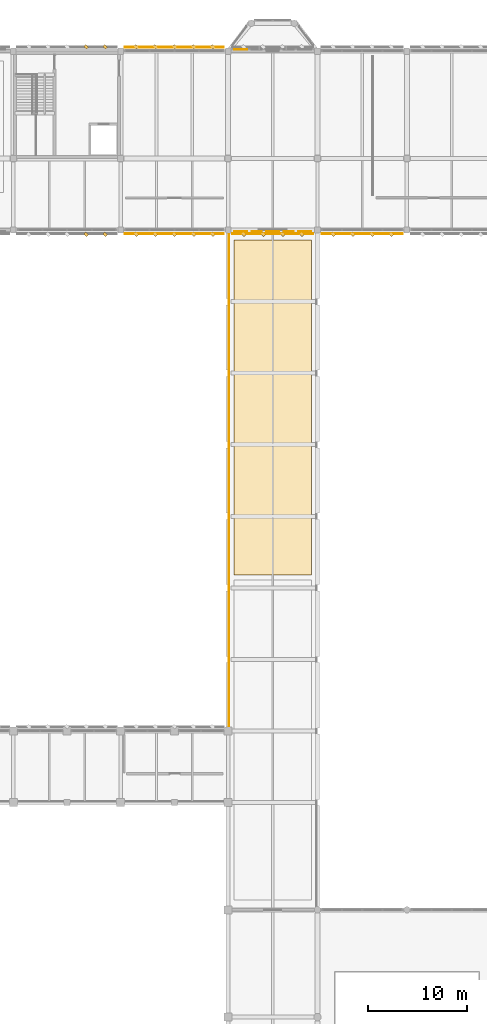
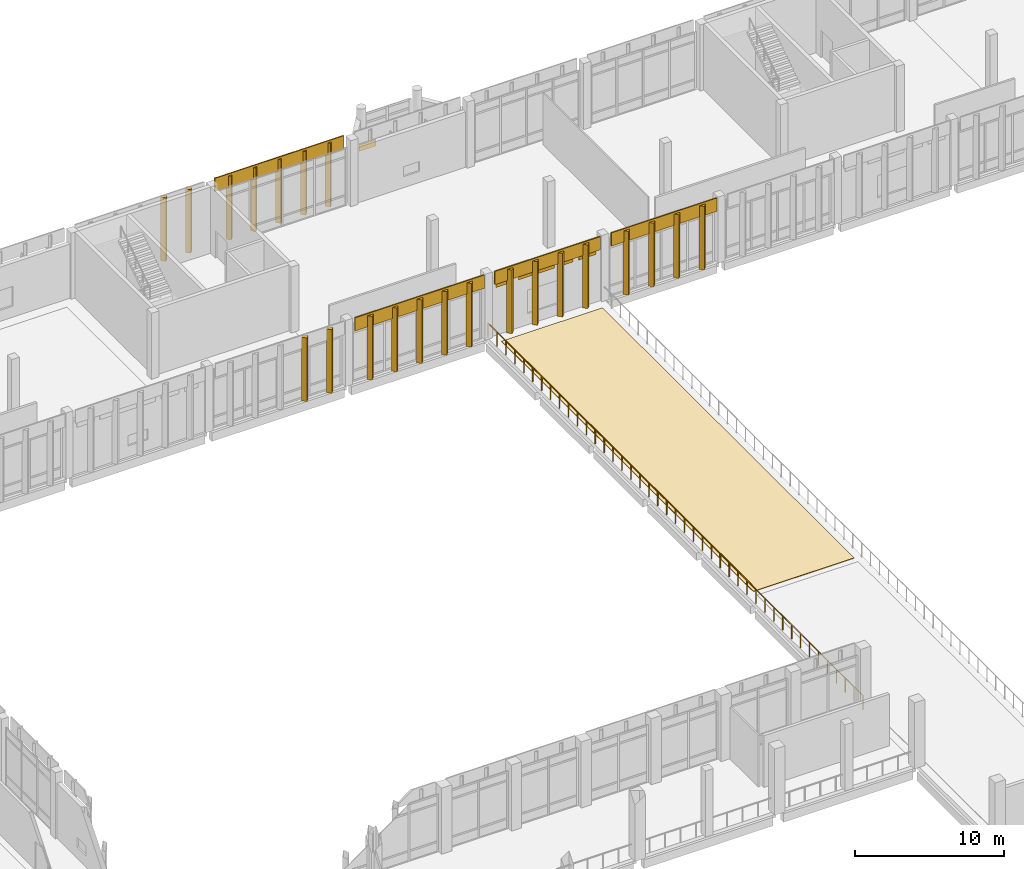
# One storey, part 173 of 180: 33 coverings, 1 railing.
"""IFC4 building model written with IfcOpenShell, lengths in metres."""

from ifc_helpers import new_model, si_unit, direction, frame, origin, origin_2d, place, context, subcontext, project, spatial, polyline, rectangle, circle, outline, extrude, material, layer, layer_set, type_object, element, save


model = new_model("IFC4")

# Units and contexts
model_context = context("Model", 3, precision=1e-05, world=origin(), true_north=direction((0.0, 1.0)))
body_context = subcontext(model_context, "Body", "Model", "MODEL_VIEW")
ifc_project = project(units=[si_unit("LENGTHUNIT", "METRE"), si_unit("AREAUNIT", "SQUARE_METRE"), si_unit("VOLUMEUNIT", "CUBIC_METRE"), si_unit("PLANEANGLEUNIT", "RADIAN"), si_unit("MASSUNIT", "GRAM", prefix="KILO")], contexts=[model_context])

# Site, building, storey
site_placement = place(None, origin())
site = spatial("IfcSite", under=ifc_project, at=site_placement, CompositionType="ELEMENT")
building_placement = place(site_placement, origin())
building = spatial("IfcBuilding", under=site, at=building_placement, Name="Lusvemor Sports Hall", CompositionType="ELEMENT")
storey_placement = place(building_placement, frame((0.0, 0.0, 5.39990234375)))
storey = spatial("IfcBuildingStorey", under=building, at=storey_placement, Name="L01", CompositionType="ELEMENT", Elevation=5.39990234375)

# Coverings
ifc_material_1 = material(Name="Emerald polychrome glazed ceramic cladding on Concrete C40/50 backing", Category="concrete")
ifc_layer_1 = layer(ifc_material_1, 0.0458984375)
ifc_layer_set_1 = layer_set([ifc_layer_1], Name="Emerald polychrome glazed ceramic cladding on Concrete C40/50 backing")
covering_type_1 = type_object("IfcCoveringType", Name="CLAD_WAVE_EMERALD", PredefinedType="CLADDING", material=ifc_layer_set_1)
for number, where, z_axis, x_axis, name in (
    (1, (76.89990234375, 115.365478515625, 3.92529296875), (0.0, 0.0, 1.0), (1.0, 0.0, 0.0), "Art Nouveau Patterned Cladding PS-EW-L01-N-1-7-1"),
    (2, (76.89990234375, 97.034423828125, 3.92529296875), (0.0, 0.0, 1.0), (1.0, 0.0, 0.0), "Art Nouveau Patterned Cladding PS-EW-L01-S-3-5-1"),
    (3, (80.10009765625, 97.034423828125, 3.92529296875), (0.0, 0.0, 1.0), (1.0, 0.0, 0.0), "Art Nouveau Patterned Cladding PS-EW-L01-S-3-5-3"),
    (4, (83.300048828125, 97.034423828125, 3.92529296875), (0.0, 0.0, 1.0), (1.0, 0.0, 0.0), "Art Nouveau Patterned Cladding PS-EW-L01-S-3-5-5"),
):
    element("IfcCovering", number, at=place(storey_placement, frame(where, z_axis=z_axis, x_axis=x_axis)), inside=storey, type_object=covering_type_1, Name=name, PredefinedType="CLADDING", context=body_context, shape_type="SweptSolid", body=[
        extrude(rectangle(XDim=1.31201171875, YDim=0.0458984375, at=origin_2d()), origin(), (0.0, 0.0, 1.0), 0.510009765625),
    ])
for number, where, z_axis, x_axis, name in (
    (5, (61.320068359375, 115.639892578125, 0.10009765625), (0.0, 0.0, 1.0), (0.707106781187, 0.707106781187, 0.0), "Patterned Diamond Cladding Rib 656"),
    (6, (68.280029296875, 115.639892578125, 0.10009765625), (0.0, 0.0, 1.0), (0.707106781187, 0.707106781187, 0.0), "Patterned Diamond Cladding Rib 691"),
    (7, (72.1201171875, 115.639892578125, 0.10009765625), (0.0, 0.0, 1.0), (0.707106781187, 0.707106781187, 0.0), "Patterned Diamond Cladding Rib 693"),
    (8, (61.320068359375, 96.760009765625, 0.10009765625), (0.0, 0.0, 1.0), (0.707106781187, 0.707106781187, 0.0), "Patterned Diamond Cladding Rib 1244"),
    (9, (68.280029296875, 96.760009765625, 0.10009765625), (0.0, 0.0, 1.0), (0.707106781187, 0.707106781187, 0.0), "Patterned Diamond Cladding Rib 1266"),
    (10, (72.1201171875, 96.760009765625, 0.10009765625), (0.0, 0.0, 1.0), (0.707106781187, 0.707106781187, 0.0), "Patterned Diamond Cladding Rib 1268"),
    (11, (79.125, 96.760009765625, 0.10009765625), (0.0, 0.0, 1.0), (0.707106781187, 0.707106781187, 0.0), "Patterned Diamond Cladding Rib 1289"),
    (12, (83.02490234375, 96.760009765625, 0.10009765625), (0.0, 0.0, 1.0), (0.707106781187, 0.707106781187, 0.0), "Patterned Diamond Cladding Rib 1291"),
    (13, (88.125, 96.760009765625, 0.10009765625), (0.0, 0.0, 1.0), (0.707106781187, 0.707106781187, 0.0), "Patterned Diamond Cladding Rib 1309"),
    (14, (92.02490234375, 96.760009765625, 0.10009765625), (0.0, 0.0, 1.0), (0.707106781187, 0.707106781187, 0.0), "Patterned Diamond Cladding Rib 1311"),
):
    element("IfcCovering", number, at=place(storey_placement, frame(where, z_axis=z_axis, x_axis=x_axis)), inside=storey, type_object=covering_type_1, Name=name, PredefinedType="CLADDING", context=body_context, shape_type="SweptSolid", body=[
        extrude(rectangle(XDim=0.280029296875, YDim=0.3798828125, at=origin_2d()), origin(), (0.0, 0.0, 1.0), 5.199951171875),
    ])
ifc_material_2 = material(Name="Warm terracotta Art Nouveau ceramic cladding on Concrete C40/50 backing", Category="masonry")
ifc_layer_2 = layer(ifc_material_2, 0.0380859375)
ifc_layer_set_2 = layer_set([ifc_layer_2], Name="Warm terracotta Art Nouveau ceramic cladding on Concrete C40/50 backing")
covering_type_2 = type_object("IfcCoveringType", Name="CLAD_WAVE_OCHRE", PredefinedType="CLADDING", material=ifc_layer_set_2)
for number, where, z_axis, x_axis, name in (
    (15, (78.5, 97.03857421875, 3.92529296875), (0.0, 0.0, 1.0), (1.0, 0.0, 0.0), "Art Nouveau Patterned Cladding PS-EW-L01-S-3-5-2"),
    (16, (81.699951171875, 97.03857421875, 3.92529296875), (0.0, 0.0, 1.0), (1.0, 0.0, 0.0), "Art Nouveau Patterned Cladding PS-EW-L01-S-3-5-4"),
):
    element("IfcCovering", number, at=place(storey_placement, frame(where, z_axis=z_axis, x_axis=x_axis)), inside=storey, type_object=covering_type_2, Name=name, PredefinedType="CLADDING", context=body_context, shape_type="SweptSolid", body=[
        extrude(rectangle(XDim=1.02392578125, YDim=0.0380859375, at=origin_2d()), origin(), (0.0, 0.0, 1.0), 0.510009765625),
    ])
for number, where, z_axis, x_axis, name in (
    (17, (70.199951171875, 115.590087890625, 4.380126953125), (0.0, 0.0, 1.0), (1.0, 0.0, 0.0), "Art Nouveau Spandrel Cornice 689"),
    (18, (70.199951171875, 96.81005859375, 4.380126953125), (0.0, 0.0, 1.0), (1.0, 0.0, 0.0), "Art Nouveau Spandrel Cornice 1264"),
):
    element("IfcCovering", number, at=place(storey_placement, frame(where, z_axis=z_axis, x_axis=x_axis)), inside=storey, type_object=covering_type_2, Name=name, PredefinedType="CLADDING", context=body_context, shape_type="SweptSolid", body=[
        extrude(rectangle(XDim=9.97998046875, YDim=0.090087890625, at=origin_2d()), origin(), (0.0, 0.0, 1.0), 1.080078125),
    ])
for number, where, z_axis, x_axis, name in (
    (19, (80.10009765625, 96.81005859375, 4.380126953125), (0.0, 0.0, 1.0), (1.0, 0.0, 0.0), "Art Nouveau Spandrel Cornice 1287"),
    (20, (89.10009765625, 96.81005859375, 4.380126953125), (0.0, 0.0, 1.0), (1.0, 0.0, 0.0), "Art Nouveau Spandrel Cornice 1307"),
):
    element("IfcCovering", number, at=place(storey_placement, frame(where, z_axis=z_axis, x_axis=x_axis)), inside=storey, type_object=covering_type_2, Name=name, PredefinedType="CLADDING", context=body_context, shape_type="SweptSolid", body=[
        extrude(rectangle(XDim=8.179931640625, YDim=0.090087890625, at=origin_2d()), origin(), (0.0, 0.0, 1.0), 1.080078125),
    ])
ifc_material_3 = material(Name="Shock-absorbing red EPDM athletic running track surface")
ifc_layer_3 = layer(ifc_material_3, 0.0439453125)
ifc_layer_set_3 = layer_set([ifc_layer_3], Name="Shock-absorbing red EPDM athletic running track surface")
covering_type_3 = type_object("IfcCoveringType", Name="COV_TRACK_EPDM", PredefinedType="FLOORING", material=ifc_layer_set_3)
covering_placement = place(storey_placement, origin())
element("IfcCovering", 21, at=covering_placement, inside=storey, type_object=covering_type_3, Name="Athletic EPDM Surface 6", PredefinedType="FLOORING", context=body_context, shape_type="SweptSolid", body=[
    extrude(outline(polyline([(76.199951171875, 62.5), (84.0, 62.5), (84.0, 96.199951171875), (76.199951171875, 96.199951171875), (76.199951171875, 62.5)])), origin(), (0.0, 0.0, 1.0), 0.044189453125),
])
ifc_material_4 = material(Name="Warm terracotta Art Nouveau ceramic cladding on Concrete C40/50 backing", Category="masonry")
ifc_layer_4 = layer(ifc_material_4, 0.449951171875)
ifc_layer_set_4 = layer_set([ifc_layer_4], Name="Warm terracotta Art Nouveau ceramic cladding on Concrete C40/50 backing")
covering_type_4 = type_object("IfcCoveringType", Name="FIN_BRISE_CER_450", PredefinedType="MOLDING", material=ifc_layer_set_4)
for number, where, z_axis, x_axis, name in (
    (22, (63.239990234375, 115.639892578125, 0.10009765625), (0.0, 0.0, 1.0), (0.707106781187, 0.707106781187, 0.0), "Patterned Diamond Cladding Rib 657"),
    (23, (66.360107421875, 115.639892578125, 0.10009765625), (0.0, 0.0, 1.0), (0.707106781187, 0.707106781187, 0.0), "Patterned Diamond Cladding Rib 690"),
    (24, (70.199951171875, 115.639892578125, 0.10009765625), (0.0, 0.0, 1.0), (0.707106781187, 0.707106781187, 0.0), "Patterned Diamond Cladding Rib 692"),
    (25, (74.0400390625, 115.639892578125, 0.10009765625), (0.0, 0.0, 1.0), (0.707106781187, 0.707106781187, 0.0), "Patterned Diamond Cladding Rib 694"),
    (26, (63.239990234375, 96.760009765625, 0.10009765625), (0.0, 0.0, 1.0), (0.707106781187, 0.707106781187, 0.0), "Patterned Diamond Cladding Rib 1245"),
    (27, (66.360107421875, 96.760009765625, 0.10009765625), (0.0, 0.0, 1.0), (0.707106781187, 0.707106781187, 0.0), "Patterned Diamond Cladding Rib 1265"),
    (28, (70.199951171875, 96.760009765625, 0.10009765625), (0.0, 0.0, 1.0), (0.707106781187, 0.707106781187, 0.0), "Patterned Diamond Cladding Rib 1267"),
    (29, (74.0400390625, 96.760009765625, 0.10009765625), (0.0, 0.0, 1.0), (0.707106781187, 0.707106781187, 0.0), "Patterned Diamond Cladding Rib 1269"),
    (30, (77.175048828125, 96.760009765625, 0.10009765625), (0.0, 0.0, 1.0), (0.707106781187, 0.707106781187, 0.0), "Patterned Diamond Cladding Rib 1288"),
    (31, (81.074951171875, 96.760009765625, 0.10009765625), (0.0, 0.0, 1.0), (0.707106781187, 0.707106781187, 0.0), "Patterned Diamond Cladding Rib 1290"),
    (32, (86.175048828125, 96.760009765625, 0.10009765625), (0.0, 0.0, 1.0), (0.707106781187, 0.707106781187, 0.0), "Patterned Diamond Cladding Rib 1308"),
    (33, (90.074951171875, 96.760009765625, 0.10009765625), (0.0, 0.0, 1.0), (0.707106781187, 0.707106781187, 0.0), "Patterned Diamond Cladding Rib 1310"),
):
    element("IfcCovering", number, at=place(storey_placement, frame(where, z_axis=z_axis, x_axis=x_axis)), inside=storey, type_object=covering_type_4, Name=name, PredefinedType="MOLDING", context=body_context, shape_type="SweptSolid", body=[
        extrude(rectangle(XDim=0.280029296875, YDim=0.3798828125, at=origin_2d()), origin(), (0.0, 0.0, 1.0), 5.199951171875),
    ])

# Railing
ifc_material_5 = material(Name="Bronze-finished wrought-steel Art Nouveau balustrade", Category="steel")
railing_type = type_object("IfcRailingType", Name="RAIL_TERR_GUARD_118", PredefinedType="GUARDRAIL", material=ifc_material_5)
railing_placement = place(storey_placement, frame((75.679931640625, 46.89990234375, 0.0)))
element("IfcRailing", 34, at=railing_placement, inside=storey, type_object=railing_type, Name="Promenade Terrace West Guard", PredefinedType="GUARDRAIL", context=body_context, shape_type="SweptSolid", body=[
    extrude(circle(Radius=0.02392578125, at=origin_2d()), frame((0.0, 0.0, 1.15576171875), z_axis=(0.0, 1.0, 0.0), x_axis=(-1.0, 0.0, 0.0)), (0.0, 0.0, 1.0), 50.2001953125),
    extrude(circle(Radius=0.02099609375, at=origin_2d()), origin(), (0.0, 0.0, 1.0), 1.1318359375),
    extrude(circle(Radius=0.02099609375, at=origin_2d()), frame((0.0, 1.1953125, 0.0)), (0.0, 0.0, 1.0), 1.1318359375),
    extrude(circle(Radius=0.02099609375, at=origin_2d()), frame((0.0, 2.390380859375, 0.0)), (0.0, 0.0, 1.0), 1.1318359375),
    extrude(circle(Radius=0.02099609375, at=origin_2d()), frame((0.0, 3.585693359375, 0.0)), (0.0, 0.0, 1.0), 1.1318359375),
    extrude(circle(Radius=0.02099609375, at=origin_2d()), frame((0.0, 4.781005859375, 0.0)), (0.0, 0.0, 1.0), 1.1318359375),
    extrude(circle(Radius=0.02099609375, at=origin_2d()), frame((0.0, 5.976318359375, 0.0)), (0.0, 0.0, 1.0), 1.1318359375),
    extrude(circle(Radius=0.02099609375, at=origin_2d()), frame((0.0, 7.17138671875, 0.0)), (0.0, 0.0, 1.0), 1.1318359375),
    extrude(circle(Radius=0.02099609375, at=origin_2d()), frame((0.0, 8.36669921875, 0.0)), (0.0, 0.0, 1.0), 1.1318359375),
    extrude(circle(Radius=0.02099609375, at=origin_2d()), frame((0.0, 9.56201171875, 0.0)), (0.0, 0.0, 1.0), 1.1318359375),
    extrude(circle(Radius=0.02099609375, at=origin_2d()), frame((0.0, 10.757080078125, 0.0)), (0.0, 0.0, 1.0), 1.1318359375),
    extrude(circle(Radius=0.02099609375, at=origin_2d()), frame((0.0, 11.952392578125, 0.0)), (0.0, 0.0, 1.0), 1.1318359375),
    extrude(circle(Radius=0.02099609375, at=origin_2d()), frame((0.0, 13.147705078125, 0.0)), (0.0, 0.0, 1.0), 1.1318359375),
    extrude(circle(Radius=0.02099609375, at=origin_2d()), frame((0.0, 14.343017578125, 0.0)), (0.0, 0.0, 1.0), 1.1318359375),
    extrude(circle(Radius=0.02099609375, at=origin_2d()), frame((0.0, 15.5380859375, 0.0)), (0.0, 0.0, 1.0), 1.1318359375),
    extrude(circle(Radius=0.02099609375, at=origin_2d()), frame((0.0, 16.7333984375, 0.0)), (0.0, 0.0, 1.0), 1.1318359375),
    extrude(circle(Radius=0.02099609375, at=origin_2d()), frame((0.0, 17.9287109375, 0.0)), (0.0, 0.0, 1.0), 1.1318359375),
    extrude(circle(Radius=0.02099609375, at=origin_2d()), frame((0.0, 19.123779296875, 0.0)), (0.0, 0.0, 1.0), 1.1318359375),
    extrude(circle(Radius=0.02099609375, at=origin_2d()), frame((0.0, 20.319091796875, 0.0)), (0.0, 0.0, 1.0), 1.1318359375),
    extrude(circle(Radius=0.02099609375, at=origin_2d()), frame((0.0, 21.514404296875, 0.0)), (0.0, 0.0, 1.0), 1.1318359375),
    extrude(circle(Radius=0.02099609375, at=origin_2d()), frame((0.0, 22.709716796875, 0.0)), (0.0, 0.0, 1.0), 1.1318359375),
    extrude(circle(Radius=0.02099609375, at=origin_2d()), frame((0.0, 23.90478515625, 0.0)), (0.0, 0.0, 1.0), 1.1318359375),
    extrude(circle(Radius=0.02099609375, at=origin_2d()), frame((0.0, 25.10009765625, 0.0)), (0.0, 0.0, 1.0), 1.1318359375),
    extrude(circle(Radius=0.02099609375, at=origin_2d()), frame((0.0, 26.29541015625, 0.0)), (0.0, 0.0, 1.0), 1.1318359375),
    extrude(circle(Radius=0.02099609375, at=origin_2d()), frame((0.0, 27.490478515625, 0.0)), (0.0, 0.0, 1.0), 1.1318359375),
    extrude(circle(Radius=0.02099609375, at=origin_2d()), frame((0.0, 28.685791015625, 0.0)), (0.0, 0.0, 1.0), 1.1318359375),
    extrude(circle(Radius=0.02099609375, at=origin_2d()), frame((0.0, 29.881103515625, 0.0)), (0.0, 0.0, 1.0), 1.1318359375),
    extrude(circle(Radius=0.02099609375, at=origin_2d()), frame((0.0, 31.076416015625, 0.0)), (0.0, 0.0, 1.0), 1.1318359375),
    extrude(circle(Radius=0.02099609375, at=origin_2d()), frame((0.0, 32.271484375, 0.0)), (0.0, 0.0, 1.0), 1.1318359375),
    extrude(circle(Radius=0.02099609375, at=origin_2d()), frame((0.0, 33.466796875, 0.0)), (0.0, 0.0, 1.0), 1.1318359375),
    extrude(circle(Radius=0.02099609375, at=origin_2d()), frame((0.0, 34.662109375, 0.0)), (0.0, 0.0, 1.0), 1.1318359375),
    extrude(circle(Radius=0.02099609375, at=origin_2d()), frame((0.0, 35.857177734375, 0.0)), (0.0, 0.0, 1.0), 1.1318359375),
    extrude(circle(Radius=0.02099609375, at=origin_2d()), frame((0.0, 37.052490234375, 0.0)), (0.0, 0.0, 1.0), 1.1318359375),
    extrude(circle(Radius=0.02099609375, at=origin_2d()), frame((0.0, 38.247802734375, 0.0)), (0.0, 0.0, 1.0), 1.1318359375),
    extrude(circle(Radius=0.02099609375, at=origin_2d()), frame((0.0, 39.443115234375, 0.0)), (0.0, 0.0, 1.0), 1.1318359375),
    extrude(circle(Radius=0.02099609375, at=origin_2d()), frame((0.0, 40.63818359375, 0.0)), (0.0, 0.0, 1.0), 1.1318359375),
    extrude(circle(Radius=0.02099609375, at=origin_2d()), frame((0.0, 41.83349609375, 0.0)), (0.0, 0.0, 1.0), 1.1318359375),
    extrude(circle(Radius=0.02099609375, at=origin_2d()), frame((0.0, 43.02880859375, 0.0)), (0.0, 0.0, 1.0), 1.1318359375),
    extrude(circle(Radius=0.02099609375, at=origin_2d()), frame((0.0, 44.223876953125, 0.0)), (0.0, 0.0, 1.0), 1.1318359375),
    extrude(circle(Radius=0.02099609375, at=origin_2d()), frame((0.0, 45.419189453125, 0.0)), (0.0, 0.0, 1.0), 1.1318359375),
    extrude(circle(Radius=0.02099609375, at=origin_2d()), frame((0.0, 46.614501953125, 0.0)), (0.0, 0.0, 1.0), 1.1318359375),
    extrude(circle(Radius=0.02099609375, at=origin_2d()), frame((0.0, 47.809814453125, 0.0)), (0.0, 0.0, 1.0), 1.1318359375),
    extrude(circle(Radius=0.02099609375, at=origin_2d()), frame((0.0, 49.0048828125, 0.0)), (0.0, 0.0, 1.0), 1.1318359375),
    extrude(circle(Radius=0.02099609375, at=origin_2d()), frame((0.0, 50.2001953125, 0.0)), (0.0, 0.0, 1.0), 1.1318359375),
])

save(model, "model.ifc")
